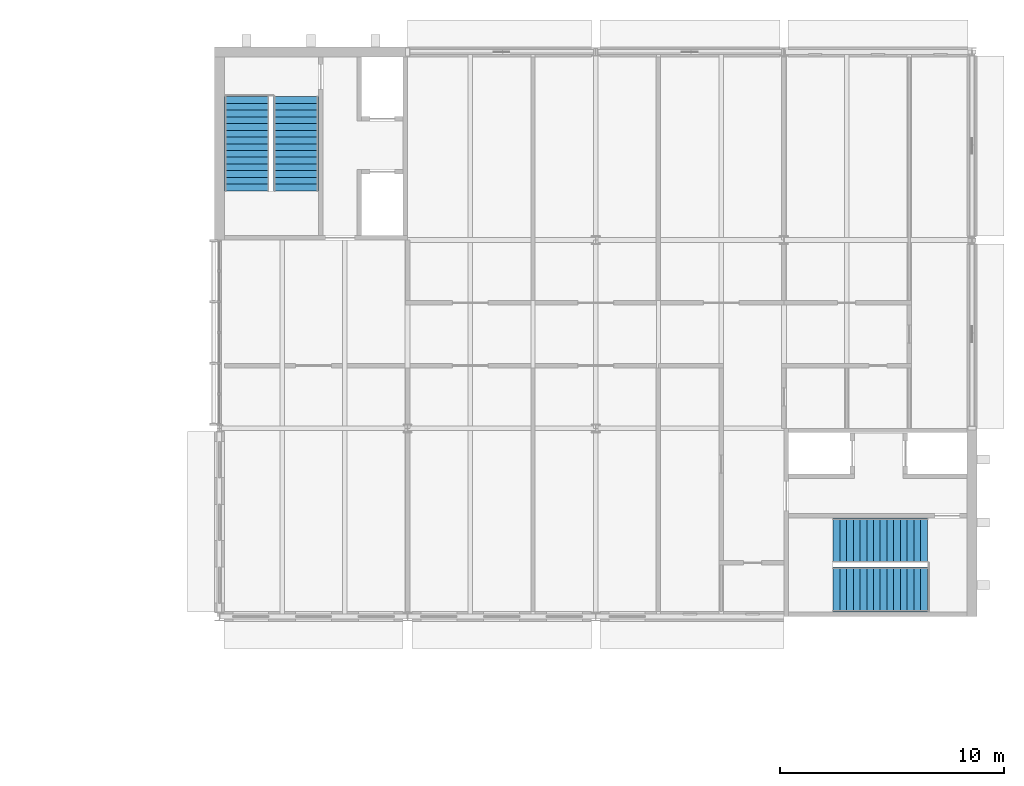
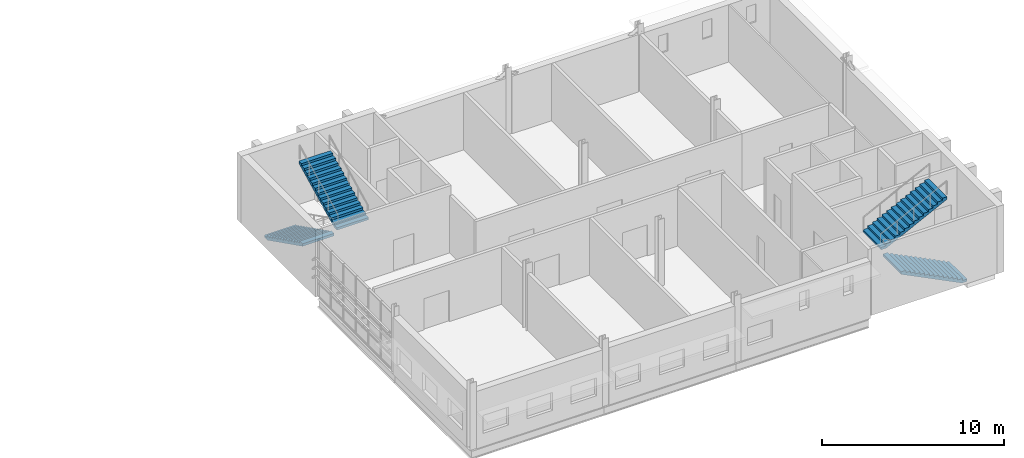
# One storey, part 31 of 42: 4 stair flights, 2 elements without a shape of their own.
"""IFC4 building model written with IfcOpenShell, lengths in metres."""

from ifc_helpers import new_model, si_unit, direction, frame, origin, place, context, subcontext, project, spatial, polyline, outline, extrude, material, type_object, element, aggregate, save


model = new_model("IFC4")

# Units and contexts
model_context = context("Model", 3, precision=1e-05, world=origin(), true_north=direction((0.0, 1.0)))
body_context = subcontext(model_context, "Body", "Model", "MODEL_VIEW")
ifc_project = project(units=[si_unit("LENGTHUNIT", "METRE"), si_unit("AREAUNIT", "SQUARE_METRE"), si_unit("VOLUMEUNIT", "CUBIC_METRE"), si_unit("PLANEANGLEUNIT", "RADIAN"), si_unit("MASSUNIT", "GRAM", prefix="KILO")], contexts=[model_context])

# Site, building, storey
site_placement = place(None, origin())
site = spatial("IfcSite", under=ifc_project, at=site_placement, CompositionType="ELEMENT")
building_placement = place(site_placement, origin())
building = spatial("IfcBuilding", under=site, at=building_placement, Name="Ardhachandra Cancer Care Centre", CompositionType="ELEMENT")
storey_placement = place(building_placement, frame((0.0, 0.0, 22.5)))
storey = spatial("IfcBuildingStorey", under=building, at=storey_placement, Name="L05", CompositionType="ELEMENT", Elevation=22.5)

# Stair, stair flights
ifc_material_1 = material(Name="Concrete M40", Category="concrete")
stair_type = type_object("IfcStairType", Name="Dog-leg stair 2000", PredefinedType="HALF_TURN_STAIR", material=ifc_material_1)
stair_1_placement = place(storey_placement, origin())
stair_1 = element("IfcStair", 1, at=stair_1_placement, inside=storey, type_object=stair_type, Name="Stair K12 L05-Roof", PredefinedType="HALF_TURN_STAIR")
ifc_material_2 = material(Name="Concrete M40", Category="concrete")
stair_flight_type = type_object("IfcStairFlightType", Name="Stair flight 2000", PredefinedType="STRAIGHT", material=ifc_material_2)
stair_flight_1_placement = place(storey_placement, frame((112.824951171875, 103.0, 0.0), z_axis=(0.0, 0.0, 1.0), x_axis=(0.0, -1.0, 0.0)))
stair_flight_1 = element("IfcStairFlight", 2, at=stair_flight_1_placement, type_object=stair_flight_type, Name="stair K12 L05-Roof flight 1", NumberOfRisers=15, NumberOfTreads=14, PredefinedType="STRAIGHT", RiserHeight=0.15, TreadLength=0.3, context=body_context, shape_type="SweptSolid", body=[
    extrude(outline(polyline([(0.0, 0.0), (0.0, 0.14990234375), (0.300048828125, 0.14990234375), (0.300048828125, 0.300048828125), (0.60009765625, 0.300048828125), (0.60009765625, 0.449951171875), (0.89990234375, 0.449951171875), (0.89990234375, 0.60009765625), (1.199951171875, 0.60009765625), (1.199951171875, 0.75), (1.5, 0.75), (1.5, 0.89990234375), (1.800048828125, 0.89990234375), (1.800048828125, 1.050048828125), (2.10009765625, 1.050048828125), (2.10009765625, 1.199951171875), (2.39990234375, 1.199951171875), (2.39990234375, 1.35009765625), (2.699951171875, 1.35009765625), (2.699951171875, 1.5), (3.0, 1.5), (3.0, 1.64990234375), (3.300048828125, 1.64990234375), (3.300048828125, 1.800048828125), (3.60009765625, 1.800048828125), (3.60009765625, 1.949951171875), (3.89990234375, 1.949951171875), (3.89990234375, 2.10009765625), (4.199951171875, 2.10009765625), (4.199951171875, 2.25), (4.199951171875, 1.932373046875), (0.335205078125, 0.0), (0.0, 0.0)])), frame((0.0, 1.0, 0.0), z_axis=(0.0, -1.0, 0.0), x_axis=(1.0, 0.0, 0.0)), (0.0, 0.0, 1.0), 2.0),
])
stair_flight_2_placement = place(storey_placement, frame((115.02490234375, 98.800048828125, 2.25), z_axis=(0.0, 0.0, 1.0), x_axis=(0.0, 1.0, 0.0)))
stair_flight_2 = element("IfcStairFlight", 3, at=stair_flight_2_placement, type_object=stair_flight_type, Name="stair K12 L05-Roof flight 2", NumberOfRisers=15, NumberOfTreads=14, PredefinedType="STRAIGHT", RiserHeight=0.15, TreadLength=0.3, context=body_context, shape_type="SweptSolid", body=[
    extrude(outline(polyline([(0.0, 0.0), (0.0, 0.14990234375), (0.300048828125, 0.14990234375), (0.300048828125, 0.300048828125), (0.60009765625, 0.300048828125), (0.60009765625, 0.449951171875), (0.89990234375, 0.449951171875), (0.89990234375, 0.60009765625), (1.199951171875, 0.60009765625), (1.199951171875, 0.75), (1.5, 0.75), (1.5, 0.89990234375), (1.800048828125, 0.89990234375), (1.800048828125, 1.050048828125), (2.10009765625, 1.050048828125), (2.10009765625, 1.199951171875), (2.39990234375, 1.199951171875), (2.39990234375, 1.35009765625), (2.699951171875, 1.35009765625), (2.699951171875, 1.5), (3.0, 1.5), (3.0, 1.64990234375), (3.300048828125, 1.64990234375), (3.300048828125, 1.800048828125), (3.60009765625, 1.800048828125), (3.60009765625, 1.949951171875), (3.89990234375, 1.949951171875), (3.89990234375, 2.10009765625), (4.199951171875, 2.10009765625), (4.199951171875, 2.25), (4.199951171875, 1.932373046875), (0.335205078125, 0.0), (0.0, 0.0)])), frame((0.0, 1.0, 0.0), z_axis=(0.0, -1.0, 0.0), x_axis=(1.0, 0.0, 0.0)), (0.0, 0.0, 1.0), 2.0),
])
aggregate(stair_1, [stair_flight_1, stair_flight_2])

stair_2_placement = place(storey_placement, origin())
stair_2 = element("IfcStair", 4, at=stair_2_placement, inside=storey, type_object=stair_type, Name="Stair K13 L05-Roof", PredefinedType="HALF_TURN_STAIR")
stair_flight_3_placement = place(storey_placement, frame((143.199951171875, 81.0, 0.0), z_axis=(0.0, 0.0, 1.0), x_axis=(-1.0, 0.0, 0.0)))
stair_flight_3 = element("IfcStairFlight", 5, at=stair_flight_3_placement, type_object=stair_flight_type, Name="stair K13 L05-Roof flight 1", NumberOfRisers=15, NumberOfTreads=14, PredefinedType="STRAIGHT", RiserHeight=0.15, TreadLength=0.3, context=body_context, shape_type="SweptSolid", body=[
    extrude(outline(polyline([(0.0, 0.0), (0.0, 0.14990234375), (0.300048828125, 0.14990234375), (0.300048828125, 0.300048828125), (0.60009765625, 0.300048828125), (0.60009765625, 0.449951171875), (0.89990234375, 0.449951171875), (0.89990234375, 0.60009765625), (1.199951171875, 0.60009765625), (1.199951171875, 0.75), (1.5, 0.75), (1.5, 0.89990234375), (1.800048828125, 0.89990234375), (1.800048828125, 1.050048828125), (2.10009765625, 1.050048828125), (2.10009765625, 1.199951171875), (2.39990234375, 1.199951171875), (2.39990234375, 1.35009765625), (2.699951171875, 1.35009765625), (2.699951171875, 1.5), (3.0, 1.5), (3.0, 1.64990234375), (3.300048828125, 1.64990234375), (3.300048828125, 1.800048828125), (3.60009765625, 1.800048828125), (3.60009765625, 1.949951171875), (3.89990234375, 1.949951171875), (3.89990234375, 2.10009765625), (4.199951171875, 2.10009765625), (4.199951171875, 2.25), (4.199951171875, 1.932373046875), (0.335205078125, 0.0), (0.0, 0.0)])), frame((0.0, 1.0, 0.0), z_axis=(0.0, -1.0, 0.0), x_axis=(1.0, 0.0, 0.0)), (0.0, 0.0, 1.0), 2.0),
])
stair_flight_4_placement = place(storey_placement, frame((139.0, 83.199951171875, 2.25), z_axis=(0.0, 0.0, 1.0), x_axis=(1.0, 0.0, 0.0)))
stair_flight_4 = element("IfcStairFlight", 6, at=stair_flight_4_placement, type_object=stair_flight_type, Name="stair K13 L05-Roof flight 2", NumberOfRisers=15, NumberOfTreads=14, PredefinedType="STRAIGHT", RiserHeight=0.15, TreadLength=0.3, context=body_context, shape_type="SweptSolid", body=[
    extrude(outline(polyline([(0.0, 0.0), (0.0, 0.14990234375), (0.300048828125, 0.14990234375), (0.300048828125, 0.300048828125), (0.60009765625, 0.300048828125), (0.60009765625, 0.449951171875), (0.89990234375, 0.449951171875), (0.89990234375, 0.60009765625), (1.199951171875, 0.60009765625), (1.199951171875, 0.75), (1.5, 0.75), (1.5, 0.89990234375), (1.800048828125, 0.89990234375), (1.800048828125, 1.050048828125), (2.10009765625, 1.050048828125), (2.10009765625, 1.199951171875), (2.39990234375, 1.199951171875), (2.39990234375, 1.35009765625), (2.699951171875, 1.35009765625), (2.699951171875, 1.5), (3.0, 1.5), (3.0, 1.64990234375), (3.300048828125, 1.64990234375), (3.300048828125, 1.800048828125), (3.60009765625, 1.800048828125), (3.60009765625, 1.949951171875), (3.89990234375, 1.949951171875), (3.89990234375, 2.10009765625), (4.199951171875, 2.10009765625), (4.199951171875, 2.25), (4.199951171875, 1.932373046875), (0.335205078125, 0.0), (0.0, 0.0)])), frame((0.0, 1.0, 0.0), z_axis=(0.0, -1.0, 0.0), x_axis=(1.0, 0.0, 0.0)), (0.0, 0.0, 1.0), 2.0),
])
aggregate(stair_2, [stair_flight_3, stair_flight_4])

save(model, "model.ifc")
